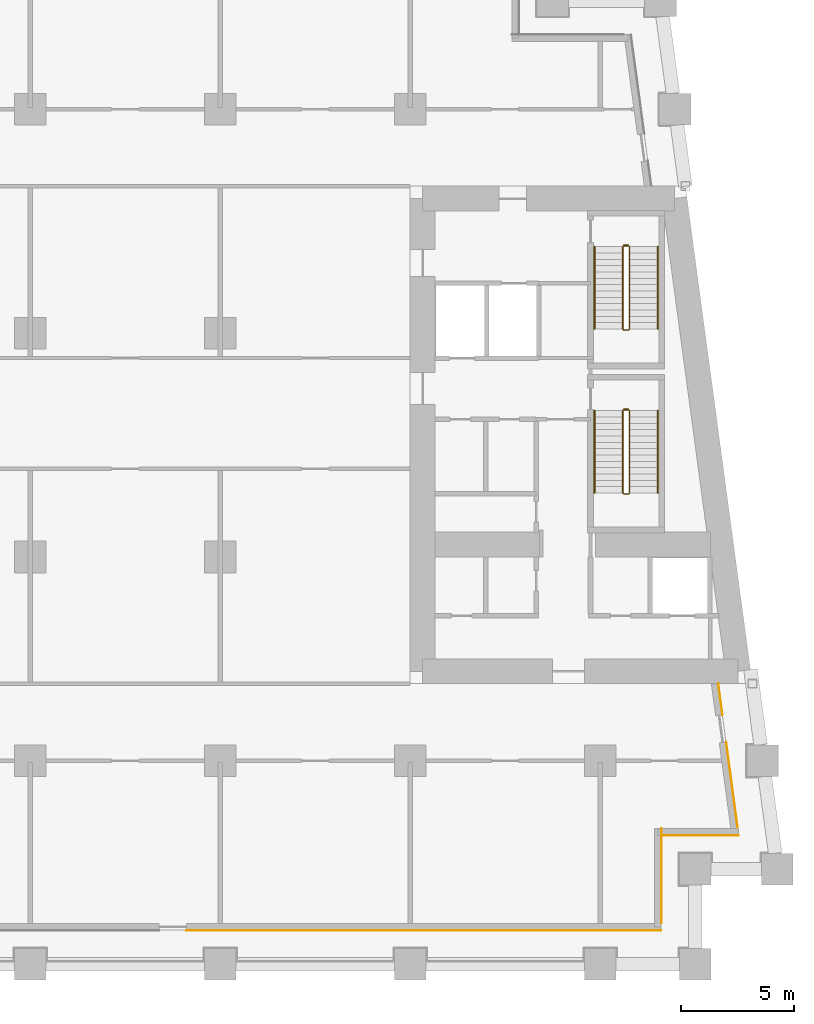
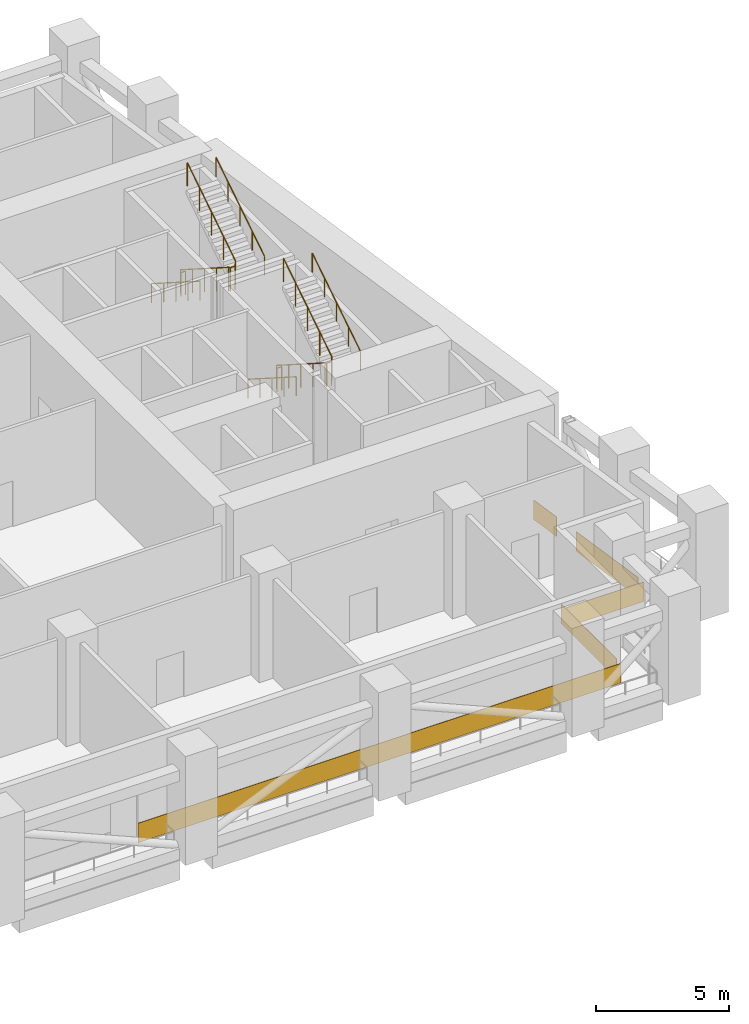
# One storey, part 11 of 12: 8 railings, 5 coverings.
"""IFC4 building model written with IfcOpenShell, lengths in metres."""

from ifc_helpers import new_model, si_unit, direction, frame, origin, origin_2d, place, context, subcontext, project, spatial, rectangle, circle, extrude, material, layer, layer_set, type_object, element, save


model = new_model("IFC4")

# Units and contexts
model_context = context("Model", 3, precision=1e-05, world=origin(), true_north=direction((0.0, 1.0)))
body_context = subcontext(model_context, "Body", "Model", "MODEL_VIEW")
ifc_project = project(units=[si_unit("LENGTHUNIT", "METRE"), si_unit("AREAUNIT", "SQUARE_METRE"), si_unit("VOLUMEUNIT", "CUBIC_METRE"), si_unit("PLANEANGLEUNIT", "RADIAN"), si_unit("MASSUNIT", "GRAM", prefix="KILO")], contexts=[model_context])

# Site, building, storey
site_placement = place(None, origin())
site = spatial("IfcSite", under=ifc_project, at=site_placement, CompositionType="ELEMENT")
building_placement = place(site_placement, origin())
building = spatial("IfcBuilding", under=site, at=building_placement, Name="Candeia Pilgrim Tower and Theatre", CompositionType="ELEMENT")
storey_placement = place(building_placement, frame((0.0, 0.0, 81.0)))
storey = spatial("IfcBuildingStorey", under=building, at=storey_placement, Name="L18", CompositionType="ELEMENT", Elevation=81.0)

# Coverings
ifc_material_1 = material(Name="Glazed ceramic tile red")
ifc_layer = layer(ifc_material_1, 0.02001953125)
ifc_layer_set = layer_set([ifc_layer], Name="Glazed ceramic tile red")
covering_type = type_object("IfcCoveringType", Name="Glazed ceramic tile red", PredefinedType="CLADDING", material=ifc_layer_set)
covering_1_placement = place(storey_placement, frame((126.60009765625, 99.489990234375, 0.0), z_axis=(0.0, 0.0, 1.0), x_axis=(1.0, 0.0, 0.0)))
element("IfcCovering", 1, at=covering_1_placement, inside=storey, type_object=covering_type, Name="Tile cladding red L18", PredefinedType="CLADDING", context=body_context, shape_type="SweptSolid", body=[
    extrude(rectangle(XDim=21.0, YDim=0.02001953125, at=origin_2d()), origin(), (0.0, 0.0, 1.0), 0.89990234375),
])
covering_2_placement = place(storey_placement, frame((137.110107421875, 101.909912109375, 0.0), z_axis=(0.0, 0.0, 1.0), x_axis=(0.0, 1.0, 0.0)))
element("IfcCovering", 2, at=covering_2_placement, inside=storey, type_object=covering_type, Name="Tile cladding red L18", PredefinedType="CLADDING", context=body_context, shape_type="SweptSolid", body=[
    extrude(rectangle(XDim=4.179931640625, YDim=0.02001953125, at=origin_2d()), origin(), (0.0, 0.0, 1.0), 0.89990234375),
])
covering_3_placement = place(storey_placement, frame((138.819580078125, 103.68994140625, 0.0), z_axis=(0.0, 0.0, 1.0), x_axis=(1.0, 0.0, 0.0)))
element("IfcCovering", 3, at=covering_3_placement, inside=storey, type_object=covering_type, Name="Tile cladding red L18", PredefinedType="CLADDING", context=body_context, shape_type="SweptSolid", body=[
    extrude(rectangle(XDim=3.399169921875, YDim=0.02001953125, at=origin_2d()), origin(), (0.0, 0.0, 1.0), 0.89990234375),
])
covering_4_placement = place(storey_placement, frame((140.228515625, 105.933349609375, 0.0), z_axis=(0.0, 0.0, 1.0), x_axis=(-0.133412012145, 0.991060661622, 0.0)))
element("IfcCovering", 4, at=covering_4_placement, inside=storey, type_object=covering_type, Name="Tile cladding red L18", PredefinedType="CLADDING", context=body_context, shape_type="SweptSolid", body=[
    extrude(rectangle(XDim=3.821044921875, YDim=0.02001953125, at=origin_2d()), origin(), (0.0, 0.0, 1.0), 0.89990234375),
])
covering_5_placement = place(storey_placement, frame((139.718994140625, 109.71875, 0.0), z_axis=(0.0, 0.0, 1.0), x_axis=(-0.133412012145, 0.991060661622, 0.0)))
element("IfcCovering", 5, at=covering_5_placement, inside=storey, type_object=covering_type, Name="Tile cladding red L18", PredefinedType="CLADDING", context=body_context, shape_type="SweptSolid", body=[
    extrude(rectangle(XDim=1.41796875, YDim=0.02001953125, at=origin_2d()), origin(), (0.0, 0.0, 1.0), 0.89990234375),
])

# Railings
ifc_material_2 = material(Name="Stainless steel balustrade", Category="steel")
railing_type_1 = type_object("IfcRailingType", Name="RL-GUARD-1100", PredefinedType="GUARDRAIL", material=ifc_material_2)
railing_1_placement = place(storey_placement, frame((135.39794921875, 122.47509765625, 0.178466796875)))
element("IfcRailing", 6, at=railing_1_placement, inside=storey, type_object=railing_type_1, Name="L18 ST3 stair guard 1", PredefinedType="GUARDRAIL", context=body_context, shape_type="SweptSolid", body=[
    extrude(circle(Radius=0.02392578125, at=origin_2d()), frame((0.0, 0.0, 1.076171875), z_axis=(0.0, -0.843127859045, 0.537713132908), x_axis=(1.0, 0.0, 0.0)), (0.0, 0.0, 1.0), 4.3173828125),
    extrude(circle(Radius=0.02392578125, at=origin_2d()), frame((0.0, -3.64013671875, 3.3974609375), z_axis=(0.707106781187, -0.707106781187, 0.0), x_axis=(0.707106781187, 0.707106781187, 0.0)), (0.0, 0.0, 1.0), 0.07080078125),
    extrude(circle(Radius=0.02392578125, at=origin_2d()), frame((0.050048828125, -3.690185546875, 3.3974609375), z_axis=(1.0, 0.0, 0.0), x_axis=(0.0, 1.0, 0.0)), (0.0, 0.0, 1.0), 0.199951171875),
    extrude(circle(Radius=0.02392578125, at=origin_2d()), frame((0.25, -3.690185546875, 3.3974609375), z_axis=(0.260684529273, 0.260684529273, 0.929562882432), x_axis=(-0.707106781187, 0.707106781187, 0.0)), (0.0, 0.0, 1.0), 0.19189453125),
    extrude(circle(Radius=0.02392578125, at=origin_2d()), frame((0.300048828125, -3.64013671875, 3.576171875), z_axis=(0.0, 0.843127859045, 0.537713132908), x_axis=(-1.0, 0.0, 0.0)), (0.0, 0.0, 1.0), 4.3173828125),
    extrude(circle(Radius=0.02099609375, at=origin_2d()), origin(), (0.0, 0.0, 1.0), 1.052001953125),
    extrude(circle(Radius=0.02099609375, at=origin_2d()), frame((0.0, -0.91015625, 0.580322265625)), (0.0, 0.0, 1.0), 1.052001953125),
    extrude(circle(Radius=0.02099609375, at=origin_2d()), frame((0.0, -1.820068359375, 1.16064453125)), (0.0, 0.0, 1.0), 1.052001953125),
    extrude(circle(Radius=0.02099609375, at=origin_2d()), frame((0.0, -2.72998046875, 1.7412109375)), (0.0, 0.0, 1.0), 1.052001953125),
    extrude(circle(Radius=0.02099609375, at=origin_2d()), frame((0.0, -3.64013671875, 2.321533203125)), (0.0, 0.0, 1.0), 1.052001953125),
    extrude(circle(Radius=0.02099609375, at=origin_2d()), frame((0.050048828125, -3.690185546875, 2.321533203125)), (0.0, 0.0, 1.0), 1.052001953125),
    extrude(circle(Radius=0.02099609375, at=origin_2d()), frame((0.25, -3.690185546875, 2.321533203125)), (0.0, 0.0, 1.0), 1.052001953125),
    extrude(circle(Radius=0.02099609375, at=origin_2d()), frame((0.300048828125, -3.64013671875, 2.5)), (0.0, 0.0, 1.0), 1.052001953125),
    extrude(circle(Radius=0.02099609375, at=origin_2d()), frame((0.300048828125, -2.72998046875, 3.080322265625)), (0.0, 0.0, 1.0), 1.052001953125),
    extrude(circle(Radius=0.02099609375, at=origin_2d()), frame((0.300048828125, -1.820068359375, 3.66064453125)), (0.0, 0.0, 1.0), 1.052001953125),
    extrude(circle(Radius=0.02099609375, at=origin_2d()), frame((0.300048828125, -0.91015625, 4.2412109375)), (0.0, 0.0, 1.0), 1.052001953125),
    extrude(circle(Radius=0.02099609375, at=origin_2d()), frame((0.300048828125, 0.0, 4.821533203125)), (0.0, 0.0, 1.0), 1.052001953125),
])
railing_2_placement = place(storey_placement, frame((135.447998046875, 122.52490234375, 0.0)))
element("IfcRailing", 7, at=railing_2_placement, inside=storey, type_object=railing_type_1, Name="L18 ST3 stair guard 2", PredefinedType="GUARDRAIL", context=body_context, shape_type="SweptSolid", body=[
    extrude(circle(Radius=0.02392578125, at=origin_2d()), frame((0.0, 0.0, 1.076171875), z_axis=(1.0, 0.0, 0.0), x_axis=(0.0, 1.0, 0.0)), (0.0, 0.0, 1.0), 0.199951171875),
    extrude(circle(Radius=0.02099609375, at=origin_2d()), origin(), (0.0, 0.0, 1.0), 1.052001953125),
    extrude(circle(Radius=0.02099609375, at=origin_2d()), frame((0.199951171875, 0.0, 0.0)), (0.0, 0.0, 1.0), 1.052001953125),
])
railing_3_placement = place(storey_placement, frame((135.39794921875, 129.72509765625, 0.178466796875)))
element("IfcRailing", 8, at=railing_3_placement, inside=storey, type_object=railing_type_1, Name="L18 ST4 stair guard 1", PredefinedType="GUARDRAIL", context=body_context, shape_type="SweptSolid", body=[
    extrude(circle(Radius=0.02392578125, at=origin_2d()), frame((0.0, 0.0, 1.076171875), z_axis=(0.0, -0.843127859045, 0.537713132908), x_axis=(1.0, 0.0, 0.0)), (0.0, 0.0, 1.0), 4.3173828125),
    extrude(circle(Radius=0.02392578125, at=origin_2d()), frame((0.0, -3.64013671875, 3.3974609375), z_axis=(0.707106781187, -0.707106781187, 0.0), x_axis=(0.707106781187, 0.707106781187, 0.0)), (0.0, 0.0, 1.0), 0.07080078125),
    extrude(circle(Radius=0.02392578125, at=origin_2d()), frame((0.050048828125, -3.690185546875, 3.3974609375), z_axis=(1.0, 0.0, 0.0), x_axis=(0.0, 1.0, 0.0)), (0.0, 0.0, 1.0), 0.199951171875),
    extrude(circle(Radius=0.02392578125, at=origin_2d()), frame((0.25, -3.690185546875, 3.3974609375), z_axis=(0.260684529273, 0.260684529273, 0.929562882432), x_axis=(-0.707106781187, 0.707106781187, 0.0)), (0.0, 0.0, 1.0), 0.19189453125),
    extrude(circle(Radius=0.02392578125, at=origin_2d()), frame((0.300048828125, -3.64013671875, 3.576171875), z_axis=(0.0, 0.843127859045, 0.537713132908), x_axis=(-1.0, 0.0, 0.0)), (0.0, 0.0, 1.0), 4.3173828125),
    extrude(circle(Radius=0.02099609375, at=origin_2d()), origin(), (0.0, 0.0, 1.0), 1.052001953125),
    extrude(circle(Radius=0.02099609375, at=origin_2d()), frame((0.0, -0.91015625, 0.580322265625)), (0.0, 0.0, 1.0), 1.052001953125),
    extrude(circle(Radius=0.02099609375, at=origin_2d()), frame((0.0, -1.820068359375, 1.16064453125)), (0.0, 0.0, 1.0), 1.052001953125),
    extrude(circle(Radius=0.02099609375, at=origin_2d()), frame((0.0, -2.72998046875, 1.7412109375)), (0.0, 0.0, 1.0), 1.052001953125),
    extrude(circle(Radius=0.02099609375, at=origin_2d()), frame((0.0, -3.64013671875, 2.321533203125)), (0.0, 0.0, 1.0), 1.052001953125),
    extrude(circle(Radius=0.02099609375, at=origin_2d()), frame((0.050048828125, -3.690185546875, 2.321533203125)), (0.0, 0.0, 1.0), 1.052001953125),
    extrude(circle(Radius=0.02099609375, at=origin_2d()), frame((0.25, -3.690185546875, 2.321533203125)), (0.0, 0.0, 1.0), 1.052001953125),
    extrude(circle(Radius=0.02099609375, at=origin_2d()), frame((0.300048828125, -3.64013671875, 2.5)), (0.0, 0.0, 1.0), 1.052001953125),
    extrude(circle(Radius=0.02099609375, at=origin_2d()), frame((0.300048828125, -2.72998046875, 3.080322265625)), (0.0, 0.0, 1.0), 1.052001953125),
    extrude(circle(Radius=0.02099609375, at=origin_2d()), frame((0.300048828125, -1.820068359375, 3.66064453125)), (0.0, 0.0, 1.0), 1.052001953125),
    extrude(circle(Radius=0.02099609375, at=origin_2d()), frame((0.300048828125, -0.91015625, 4.2412109375)), (0.0, 0.0, 1.0), 1.052001953125),
    extrude(circle(Radius=0.02099609375, at=origin_2d()), frame((0.300048828125, 0.0, 4.821533203125)), (0.0, 0.0, 1.0), 1.052001953125),
])
railing_4_placement = place(storey_placement, frame((135.447998046875, 129.77490234375, 0.0)))
element("IfcRailing", 9, at=railing_4_placement, inside=storey, type_object=railing_type_1, Name="L18 ST4 stair guard 2", PredefinedType="GUARDRAIL", context=body_context, shape_type="SweptSolid", body=[
    extrude(circle(Radius=0.02392578125, at=origin_2d()), frame((0.0, 0.0, 1.076171875), z_axis=(1.0, 0.0, 0.0), x_axis=(0.0, 1.0, 0.0)), (0.0, 0.0, 1.0), 0.199951171875),
    extrude(circle(Radius=0.02099609375, at=origin_2d()), origin(), (0.0, 0.0, 1.0), 1.052001953125),
    extrude(circle(Radius=0.02099609375, at=origin_2d()), frame((0.199951171875, 0.0, 0.0)), (0.0, 0.0, 1.0), 1.052001953125),
])
ifc_material_3 = material(Name="Stainless steel handrail", Category="steel")
railing_type_2 = type_object("IfcRailingType", Name="RL-HANDRAIL-900", PredefinedType="HANDRAIL", material=ifc_material_3)
railing_5_placement = place(storey_placement, frame((134.14794921875, 122.47509765625, 0.178466796875)))
element("IfcRailing", 10, at=railing_5_placement, inside=storey, type_object=railing_type_2, Name="L18 ST3 stair handrail 1", PredefinedType="HANDRAIL", context=body_context, shape_type="SweptSolid", body=[
    extrude(circle(Radius=0.02392578125, at=origin_2d()), frame((0.0, 0.0, 0.8759765625), z_axis=(0.0, -0.843127859045, 0.537713132908), x_axis=(1.0, 0.0, 0.0)), (0.0, 0.0, 1.0), 4.3173828125),
    extrude(circle(Radius=0.02099609375, at=origin_2d()), origin(), (0.0, 0.0, 1.0), 0.851806640625),
    extrude(circle(Radius=0.02099609375, at=origin_2d()), frame((0.0, -0.91015625, 0.580322265625)), (0.0, 0.0, 1.0), 0.851806640625),
    extrude(circle(Radius=0.02099609375, at=origin_2d()), frame((0.0, -1.820068359375, 1.16064453125)), (0.0, 0.0, 1.0), 0.851806640625),
    extrude(circle(Radius=0.02099609375, at=origin_2d()), frame((0.0, -2.72998046875, 1.7412109375)), (0.0, 0.0, 1.0), 0.851806640625),
    extrude(circle(Radius=0.02099609375, at=origin_2d()), frame((0.0, -3.64013671875, 2.321533203125)), (0.0, 0.0, 1.0), 0.851806640625),
])
railing_6_placement = place(storey_placement, frame((136.947998046875, 118.8349609375, 2.678466796875)))
element("IfcRailing", 11, at=railing_6_placement, inside=storey, type_object=railing_type_2, Name="L18 ST3 stair handrail 2", PredefinedType="HANDRAIL", context=body_context, shape_type="SweptSolid", body=[
    extrude(circle(Radius=0.02392578125, at=origin_2d()), frame((0.0, 0.0, 0.8759765625), z_axis=(0.0, 0.843127859045, 0.537713132908), x_axis=(-1.0, 0.0, 0.0)), (0.0, 0.0, 1.0), 4.3173828125),
    extrude(circle(Radius=0.02099609375, at=origin_2d()), origin(), (0.0, 0.0, 1.0), 0.851806640625),
    extrude(circle(Radius=0.02099609375, at=origin_2d()), frame((0.0, 0.91015625, 0.580322265625)), (0.0, 0.0, 1.0), 0.851806640625),
    extrude(circle(Radius=0.02099609375, at=origin_2d()), frame((0.0, 1.820068359375, 1.16064453125)), (0.0, 0.0, 1.0), 0.851806640625),
    extrude(circle(Radius=0.02099609375, at=origin_2d()), frame((0.0, 2.72998046875, 1.7412109375)), (0.0, 0.0, 1.0), 0.851806640625),
    extrude(circle(Radius=0.02099609375, at=origin_2d()), frame((0.0, 3.64013671875, 2.321533203125)), (0.0, 0.0, 1.0), 0.851806640625),
])
railing_7_placement = place(storey_placement, frame((134.14794921875, 129.72509765625, 0.178466796875)))
element("IfcRailing", 12, at=railing_7_placement, inside=storey, type_object=railing_type_2, Name="L18 ST4 stair handrail 1", PredefinedType="HANDRAIL", context=body_context, shape_type="SweptSolid", body=[
    extrude(circle(Radius=0.02392578125, at=origin_2d()), frame((0.0, 0.0, 0.8759765625), z_axis=(0.0, -0.843127859045, 0.537713132908), x_axis=(1.0, 0.0, 0.0)), (0.0, 0.0, 1.0), 4.3173828125),
    extrude(circle(Radius=0.02099609375, at=origin_2d()), origin(), (0.0, 0.0, 1.0), 0.851806640625),
    extrude(circle(Radius=0.02099609375, at=origin_2d()), frame((0.0, -0.91015625, 0.580322265625)), (0.0, 0.0, 1.0), 0.851806640625),
    extrude(circle(Radius=0.02099609375, at=origin_2d()), frame((0.0, -1.820068359375, 1.16064453125)), (0.0, 0.0, 1.0), 0.851806640625),
    extrude(circle(Radius=0.02099609375, at=origin_2d()), frame((0.0, -2.72998046875, 1.7412109375)), (0.0, 0.0, 1.0), 0.851806640625),
    extrude(circle(Radius=0.02099609375, at=origin_2d()), frame((0.0, -3.64013671875, 2.321533203125)), (0.0, 0.0, 1.0), 0.851806640625),
])
railing_8_placement = place(storey_placement, frame((136.947998046875, 126.0849609375, 2.678466796875)))
element("IfcRailing", 13, at=railing_8_placement, inside=storey, type_object=railing_type_2, Name="L18 ST4 stair handrail 2", PredefinedType="HANDRAIL", context=body_context, shape_type="SweptSolid", body=[
    extrude(circle(Radius=0.02392578125, at=origin_2d()), frame((0.0, 0.0, 0.8759765625), z_axis=(0.0, 0.843127859045, 0.537713132908), x_axis=(-1.0, 0.0, 0.0)), (0.0, 0.0, 1.0), 4.3173828125),
    extrude(circle(Radius=0.02099609375, at=origin_2d()), origin(), (0.0, 0.0, 1.0), 0.851806640625),
    extrude(circle(Radius=0.02099609375, at=origin_2d()), frame((0.0, 0.91015625, 0.580322265625)), (0.0, 0.0, 1.0), 0.851806640625),
    extrude(circle(Radius=0.02099609375, at=origin_2d()), frame((0.0, 1.820068359375, 1.16064453125)), (0.0, 0.0, 1.0), 0.851806640625),
    extrude(circle(Radius=0.02099609375, at=origin_2d()), frame((0.0, 2.72998046875, 1.7412109375)), (0.0, 0.0, 1.0), 0.851806640625),
    extrude(circle(Radius=0.02099609375, at=origin_2d()), frame((0.0, 3.64013671875, 2.321533203125)), (0.0, 0.0, 1.0), 0.851806640625),
])

save(model, "model.ifc")
